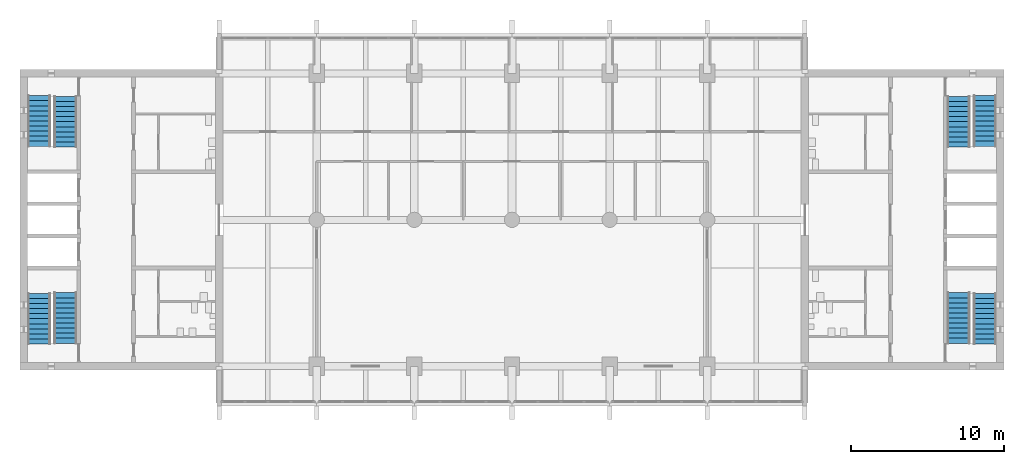
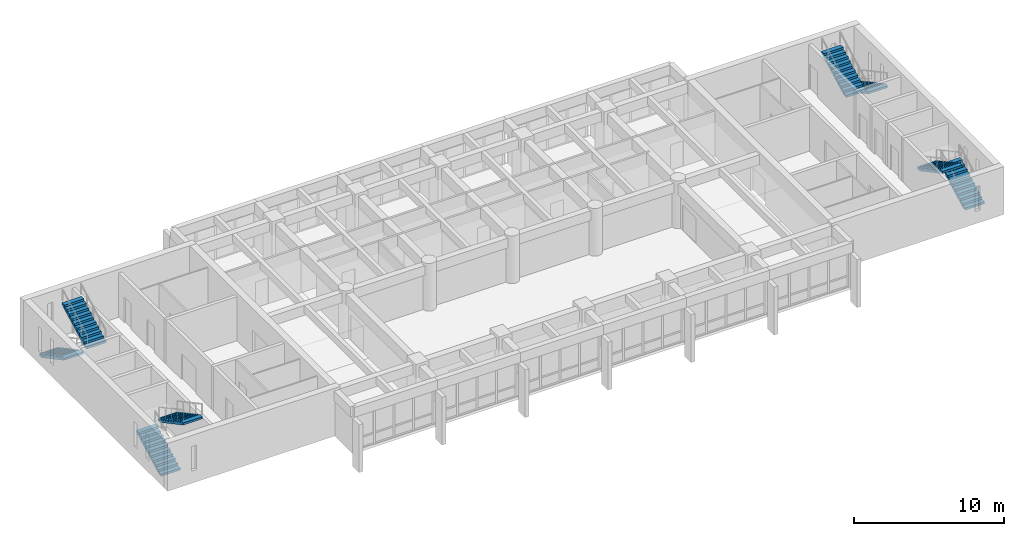
# One storey, part 13 of 15: 8 stair flights, 4 elements without a shape of their own.
"""IFC4 building model written with IfcOpenShell, lengths in metres."""

import ifcopenshell
import ifcopenshell.guid

model = None  # the IFC model being written
_history = None  # IfcOwnerHistory: only IFC2X3 demands one
_inside = {}  # id of a spatial element -> (the spatial element, [elements in it])
_under = {}  # id of a project, library or spatial element -> (it, [spatial elements below it])
_declared = {}  # id of a project -> (the project, [libraries it declares])
_typed = {}  # id of a type object -> (the type object, [elements of that type])
_made_of = {}  # id of a material, layer set ... -> (it, [elements and type objects made of it])


def new_model(schema):
    """Start an empty IFC model of exactly this schema.

    Asked for "IFC4X3", IfcOpenShell would pick the latest addendum, in which some entities
    have other attributes; the version numbers below select the first issue.
    IFC2X3 requires an IfcOwnerHistory on every rooted entity: one is made here for all.
    """
    global model, _history
    if schema == "IFC4X3":
        model = ifcopenshell.file(schema_version=(4, 3, 0, 0))
    else:
        model = ifcopenshell.file(schema=schema)
    _inside.clear()
    _under.clear()
    _declared.clear()
    _typed.clear()
    _made_of.clear()
    _history = None
    if model.schema == "IFC2X3":
        org = make("IfcOrganization", Name="unknown")
        user = make(
            "IfcPersonAndOrganization",
            ThePerson=make("IfcPerson", FamilyName="unknown"),
            TheOrganization=org,
        )
        app = make(
            "IfcApplication",
            ApplicationDeveloper=org,
            Version="unknown",
            ApplicationFullName="unknown",
            ApplicationIdentifier="unknown",
        )
        _history = make(
            "IfcOwnerHistory",
            OwningUser=user,
            OwningApplication=app,
            ChangeAction="ADDED",
            CreationDate=0,
        )
    return model


def make(cls, **values):
    """One entity of the class cls with the attributes given. An attribute that is None is left unset."""
    return model.create_entity(
        cls, **{name: value for name, value in values.items() if value is not None}
    )


def rooted(cls, **values):
    """An entity with a GlobalId (a new one), such as an element, a storey or a relation."""
    return make(cls, GlobalId=ifcopenshell.guid.new(), OwnerHistory=_history, **values)


def si_unit(unit_type, name, prefix=None):
    """IfcSIUnit, for example si_unit("LENGTHUNIT", "METRE", prefix="MILLI")."""
    return make("IfcSIUnit", UnitType=unit_type, Prefix=prefix, Name=name)


def assignment(units):
    """IfcUnitAssignment: the units of a project."""
    return None if units is None else make("IfcUnitAssignment", Units=units)


def point(xyz):
    """IfcCartesianPoint."""
    return None if xyz is None else make("IfcCartesianPoint", Coordinates=xyz)


def direction(xyz):
    """IfcDirection."""
    return None if xyz is None else make("IfcDirection", DirectionRatios=xyz)


def frame(location, z_axis=None, x_axis=None):
    """IfcAxis2Placement3D, a coordinate frame: its origin and axes. An axis left out is left unset."""
    return make(
        "IfcAxis2Placement3D",
        Location=point(location),
        Axis=direction(z_axis),
        RefDirection=direction(x_axis),
    )


def origin():
    """The frame at (0, 0, 0) with its axes left unset."""
    return frame((0.0, 0.0, 0.0))


def place(relative_to, where):
    """IfcLocalPlacement: puts the frame where relative to a parent placement (None: the world)."""
    return make(
        "IfcLocalPlacement", PlacementRelTo=relative_to, RelativePlacement=where
    )


def context(
    kind, dimensions, precision=None, world=None, true_north=None, identifier=None
):
    """IfcGeometricRepresentationContext, for example the 3D "Model" context."""
    return make(
        "IfcGeometricRepresentationContext",
        ContextIdentifier=identifier,
        ContextType=kind,
        CoordinateSpaceDimension=dimensions,
        Precision=precision,
        WorldCoordinateSystem=world,
        TrueNorth=true_north,
    )


def subcontext(parent, identifier, kind, view, scale=None):
    """IfcGeometricRepresentationSubContext, for example "Body" below "Model"."""
    return make(
        "IfcGeometricRepresentationSubContext",
        ContextIdentifier=identifier,
        ContextType=kind,
        ParentContext=parent,
        TargetScale=scale,
        TargetView=view,
    )


def project(units=None, contexts=None):
    """IfcProject with its units and contexts."""
    return rooted(
        "IfcProject",
        Name="project",
        RepresentationContexts=contexts,
        UnitsInContext=assignment(units),
    )


def spatial(cls, under=None, at=None, **own):
    """A site, building, storey or space (cls), placed at a placement, below another one or the project."""
    s = rooted(cls, ObjectPlacement=at, **own)
    if under is not None:
        _under.setdefault(under.id(), (under, []))[1].append(s)
    return s


def polyline(points):
    """IfcPolyline through the points."""
    return make("IfcPolyline", Points=[point(p) for p in points])


def outline(outer, holes=None, kind="AREA"):
    """IfcArbitraryClosedProfileDef: a profile drawn as a closed curve; with holes, ...WithVoids."""
    if holes is None:
        return make("IfcArbitraryClosedProfileDef", ProfileType=kind, OuterCurve=outer)
    return make(
        "IfcArbitraryProfileDefWithVoids",
        ProfileType=kind,
        OuterCurve=outer,
        InnerCurves=holes,
    )


def extrude(swept, where, along, depth):
    """IfcExtrudedAreaSolid: the profile swept, set in the frame where, extruded along a direction by depth."""
    return make(
        "IfcExtrudedAreaSolid",
        SweptArea=swept,
        Position=where,
        ExtrudedDirection=direction(along),
        Depth=depth,
    )


def shape(context_of_items, identifier, shape_type, items):
    """IfcShapeRepresentation: the items that make up one representation, for example the "Body"."""
    return make(
        "IfcShapeRepresentation",
        ContextOfItems=context_of_items,
        RepresentationIdentifier=identifier,
        RepresentationType=shape_type,
        Items=items,
    )


def material(Name=None, Category=None):
    """IfcMaterial."""
    return make("IfcMaterial", Name=Name, Category=Category)


def made_of(thing, what):
    """Note that an element or type object is made of a material, layer set ...; save() writes the relation."""
    if what is not None:
        _made_of.setdefault(what.id(), (what, []))[1].append(thing)
    return thing


def type_object(cls, material=None, **own):
    """A type object (cls), such as IfcWallType, which elements share."""
    return made_of(rooted(cls, **own), material)


def element(
    cls,
    number,
    at=None,
    inside=None,
    cuts=None,
    type_object=None,
    material=None,
    context=None,
    identifier="Body",
    shape_type=None,
    held_by="IfcProductDefinitionShape",
    body=None,
    shapes=None,
    **own,
):
    """One element of the class cls, such as IfcWall. Its Tag is "e" and its number.

    at: its placement. inside: the storey or other place that contains it. cuts: it is an
    opening in that element (IfcRelVoidsElement). A single representation is given by context,
    identifier, shape_type and body (its items); several are given by shapes. held_by: the class
    of the entity that holds the representations. save() writes the other relations.
    """
    e = rooted(cls, Tag="e%d" % number, ObjectPlacement=at, **own)
    if body is not None:
        shapes = [shape(context, identifier, shape_type, body)]
    if shapes is not None:
        e.Representation = make(held_by, Representations=shapes)
    if inside is not None:
        _inside.setdefault(inside.id(), (inside, []))[1].append(e)
    if cuts is not None:
        rooted(
            "IfcRelVoidsElement", RelatingBuildingElement=cuts, RelatedOpeningElement=e
        )
    if type_object is not None:
        _typed.setdefault(type_object.id(), (type_object, []))[1].append(e)
    return made_of(e, material)


def aggregate(whole, parts):
    """IfcRelAggregates: a whole, such as a stair, and the parts it consists of."""
    return rooted("IfcRelAggregates", RelatingObject=whole, RelatedObjects=parts)


def save(model, path):
    """Write the relations noted so far, then the file.

    IfcRelAggregates (storeys below a building ...), IfcRelContainedInSpatialStructure (elements
    in a storey), IfcRelDefinesByType, IfcRelAssociatesMaterial and IfcRelDeclares: one each for
    every whole, place, type object, material and project.
    """
    for whole, parts in _under.values():
        aggregate(whole, parts)
    for where, things in _inside.values():
        rooted(
            "IfcRelContainedInSpatialStructure",
            RelatedElements=things,
            RelatingStructure=where,
        )
    for kind, things in _typed.values():
        rooted("IfcRelDefinesByType", RelatedObjects=things, RelatingType=kind)
    for what, things in _made_of.values():
        rooted("IfcRelAssociatesMaterial", RelatedObjects=things, RelatingMaterial=what)
    for by, libraries in _declared.values():
        rooted("IfcRelDeclares", RelatingContext=by, RelatedDefinitions=libraries)
    model.write(path)


model = new_model("IFC4")

# Units and contexts
model_context = context("Model", 3, precision=1e-05, world=origin(), true_north=direction((0.0, 1.0)))
body_context = subcontext(model_context, "Body", "Model", "MODEL_VIEW")
ifc_project = project(units=[si_unit("LENGTHUNIT", "METRE"), si_unit("AREAUNIT", "SQUARE_METRE"), si_unit("VOLUMEUNIT", "CUBIC_METRE"), si_unit("PLANEANGLEUNIT", "RADIAN"), si_unit("MASSUNIT", "GRAM", prefix="KILO")], contexts=[model_context])

# Site, building, storey
site_placement = place(None, origin())
site = spatial("IfcSite", under=ifc_project, at=site_placement, CompositionType="ELEMENT")
building_placement = place(site_placement, origin())
building = spatial("IfcBuilding", under=site, at=building_placement, Name="Fogon Plaza Fire Station and Headquarters Tower", CompositionType="ELEMENT")
storey_placement = place(building_placement, frame((0.0, 0.0, 32.699951171875)))
storey = spatial("IfcBuildingStorey", under=building, at=storey_placement, Name="L08", CompositionType="ELEMENT", Elevation=32.699951171875)

# Stair, stair flights
ifc_material_1 = material(Name="Concrete C40", Category="concrete")
stair_type = type_object("IfcStairType", Name="Exit Stair Two Flights", PredefinedType="TWO_STRAIGHT_RUN_STAIR", material=ifc_material_1)
stair_1_placement = place(storey_placement, origin())
stair_1 = element("IfcStair", 1, at=stair_1_placement, inside=storey, type_object=stair_type, Name="Stair ST1", PredefinedType="TWO_STRAIGHT_RUN_STAIR")
ifc_material_2 = material(Name="Concrete C40", Category="concrete")
stair_flight_type = type_object("IfcStairFlightType", Name="Stair Flight 11 Risers", PredefinedType="STRAIGHT", material=ifc_material_2)
stair_flight_1_placement = place(storey_placement, frame((13.800048828125, 35.060791015625, 0.0), z_axis=(0.0, 0.0, 1.0), x_axis=(0.0, 1.0, 0.0)))
stair_flight_1 = element("IfcStairFlight", 2, at=stair_flight_1_placement, type_object=stair_flight_type, Name="ST1 flight F19", NumberOfRisers=11, NumberOfTreads=10, PredefinedType="STRAIGHT", RiserHeight=0.177272727, TreadLength=0.3315, context=body_context, shape_type="SweptSolid", body=[
    extrude(outline(polyline([(0.0, 0.0), (0.0, 0.17724609375), (0.33154296875, 0.17724609375), (0.33154296875, 0.3544921875), (0.6630859375, 0.3544921875), (0.6630859375, 0.53173828125), (0.994384765625, 0.53173828125), (0.994384765625, 0.708984375), (1.325927734375, 0.708984375), (1.325927734375, 0.886474609375), (1.657470703125, 0.886474609375), (1.657470703125, 1.063720703125), (1.989013671875, 1.063720703125), (1.989013671875, 1.240966796875), (2.320556640625, 1.240966796875), (2.320556640625, 1.418212890625), (2.652099609375, 1.418212890625), (2.652099609375, 1.595458984375), (2.9833984375, 1.595458984375), (2.9833984375, 1.772705078125), (3.31494140625, 1.772705078125), (3.31494140625, 1.949951171875), (3.31494140625, 1.602783203125), (0.31787109375, 0.0), (0.0, 0.0)])), frame((0.0, 0.75, 0.0), z_axis=(0.0, -1.0, 0.0), x_axis=(1.0, 0.0, 0.0)), (0.0, 0.0, 1.0), 1.5),
])
stair_flight_2_placement = place(storey_placement, frame((15.52490234375, 38.42431640625, 1.949951171875), z_axis=(0.0, 0.0, 1.0), x_axis=(0.0, -1.0, 0.0)))
stair_flight_2 = element("IfcStairFlight", 3, at=stair_flight_2_placement, type_object=stair_flight_type, Name="ST1 flight F20", NumberOfRisers=11, NumberOfTreads=10, PredefinedType="STRAIGHT", RiserHeight=0.177272727, TreadLength=0.3315, context=body_context, shape_type="SweptSolid", body=[
    extrude(outline(polyline([(0.0, 0.0), (0.0, 0.17724609375), (0.33154296875, 0.17724609375), (0.33154296875, 0.3544921875), (0.6630859375, 0.3544921875), (0.6630859375, 0.53173828125), (0.994384765625, 0.53173828125), (0.994384765625, 0.708984375), (1.325927734375, 0.708984375), (1.325927734375, 0.886474609375), (1.657470703125, 0.886474609375), (1.657470703125, 1.063720703125), (1.989013671875, 1.063720703125), (1.989013671875, 1.240966796875), (2.320556640625, 1.240966796875), (2.320556640625, 1.418212890625), (2.652099609375, 1.418212890625), (2.652099609375, 1.595458984375), (2.9833984375, 1.595458984375), (2.9833984375, 1.772705078125), (3.31494140625, 1.772705078125), (3.31494140625, 1.949951171875), (3.31494140625, 1.602783203125), (0.31787109375, 0.0), (0.0, 0.0)])), frame((0.0, 0.75, 0.0), z_axis=(0.0, -1.0, 0.0), x_axis=(1.0, 0.0, 0.0)), (0.0, 0.0, 1.0), 1.5),
])
aggregate(stair_1, [stair_flight_1, stair_flight_2])

stair_2_placement = place(storey_placement, origin())
stair_2 = element("IfcStair", 4, at=stair_2_placement, inside=storey, type_object=stair_type, Name="Stair ST2", PredefinedType="TWO_STRAIGHT_RUN_STAIR")
stair_flight_3_placement = place(storey_placement, frame((13.800048828125, 51.33935546875, 0.0), z_axis=(0.0, 0.0, 1.0), x_axis=(0.0, -1.0, 0.0)))
stair_flight_3 = element("IfcStairFlight", 5, at=stair_flight_3_placement, type_object=stair_flight_type, Name="ST2 flight F19", NumberOfRisers=11, NumberOfTreads=10, PredefinedType="STRAIGHT", RiserHeight=0.177272727, TreadLength=0.3315, context=body_context, shape_type="SweptSolid", body=[
    extrude(outline(polyline([(0.0, 0.0), (0.0, 0.17724609375), (0.33154296875, 0.17724609375), (0.33154296875, 0.3544921875), (0.6630859375, 0.3544921875), (0.6630859375, 0.53173828125), (0.994384765625, 0.53173828125), (0.994384765625, 0.708984375), (1.325927734375, 0.708984375), (1.325927734375, 0.886474609375), (1.657470703125, 0.886474609375), (1.657470703125, 1.063720703125), (1.989013671875, 1.063720703125), (1.989013671875, 1.240966796875), (2.320556640625, 1.240966796875), (2.320556640625, 1.418212890625), (2.652099609375, 1.418212890625), (2.652099609375, 1.595458984375), (2.9833984375, 1.595458984375), (2.9833984375, 1.772705078125), (3.31494140625, 1.772705078125), (3.31494140625, 1.949951171875), (3.31494140625, 1.602783203125), (0.31787109375, 0.0), (0.0, 0.0)])), frame((0.0, 0.75, 0.0), z_axis=(0.0, -1.0, 0.0), x_axis=(1.0, 0.0, 0.0)), (0.0, 0.0, 1.0), 1.5),
])
stair_flight_4_placement = place(storey_placement, frame((15.52490234375, 47.975830078125, 1.949951171875), z_axis=(0.0, 0.0, 1.0), x_axis=(0.0, 1.0, 0.0)))
stair_flight_4 = element("IfcStairFlight", 6, at=stair_flight_4_placement, type_object=stair_flight_type, Name="ST2 flight F20", NumberOfRisers=11, NumberOfTreads=10, PredefinedType="STRAIGHT", RiserHeight=0.177272727, TreadLength=0.3315, context=body_context, shape_type="SweptSolid", body=[
    extrude(outline(polyline([(0.0, 0.0), (0.0, 0.17724609375), (0.33154296875, 0.17724609375), (0.33154296875, 0.3544921875), (0.6630859375, 0.3544921875), (0.6630859375, 0.53173828125), (0.994384765625, 0.53173828125), (0.994384765625, 0.708984375), (1.325927734375, 0.708984375), (1.325927734375, 0.886474609375), (1.657470703125, 0.886474609375), (1.657470703125, 1.063720703125), (1.989013671875, 1.063720703125), (1.989013671875, 1.240966796875), (2.320556640625, 1.240966796875), (2.320556640625, 1.418212890625), (2.652099609375, 1.418212890625), (2.652099609375, 1.595458984375), (2.9833984375, 1.595458984375), (2.9833984375, 1.772705078125), (3.31494140625, 1.772705078125), (3.31494140625, 1.949951171875), (3.31494140625, 1.602783203125), (0.31787109375, 0.0), (0.0, 0.0)])), frame((0.0, 0.75, 0.0), z_axis=(0.0, -1.0, 0.0), x_axis=(1.0, 0.0, 0.0)), (0.0, 0.0, 1.0), 1.5),
])
aggregate(stair_2, [stair_flight_3, stair_flight_4])

stair_3_placement = place(storey_placement, origin())
stair_3 = element("IfcStair", 7, at=stair_3_placement, inside=storey, type_object=stair_type, Name="Stair ST3", PredefinedType="TWO_STRAIGHT_RUN_STAIR")
stair_flight_5_placement = place(storey_placement, frame((75.800048828125, 35.060791015625, 0.0), z_axis=(0.0, 0.0, 1.0), x_axis=(0.0, 1.0, 0.0)))
stair_flight_5 = element("IfcStairFlight", 8, at=stair_flight_5_placement, type_object=stair_flight_type, Name="ST3 flight F19", NumberOfRisers=11, NumberOfTreads=10, PredefinedType="STRAIGHT", RiserHeight=0.177272727, TreadLength=0.3315, context=body_context, shape_type="SweptSolid", body=[
    extrude(outline(polyline([(0.0, 0.0), (0.0, 0.17724609375), (0.33154296875, 0.17724609375), (0.33154296875, 0.3544921875), (0.6630859375, 0.3544921875), (0.6630859375, 0.53173828125), (0.994384765625, 0.53173828125), (0.994384765625, 0.708984375), (1.325927734375, 0.708984375), (1.325927734375, 0.886474609375), (1.657470703125, 0.886474609375), (1.657470703125, 1.063720703125), (1.989013671875, 1.063720703125), (1.989013671875, 1.240966796875), (2.320556640625, 1.240966796875), (2.320556640625, 1.418212890625), (2.652099609375, 1.418212890625), (2.652099609375, 1.595458984375), (2.9833984375, 1.595458984375), (2.9833984375, 1.772705078125), (3.31494140625, 1.772705078125), (3.31494140625, 1.949951171875), (3.31494140625, 1.602783203125), (0.31787109375, 0.0), (0.0, 0.0)])), frame((0.0, 0.75, 0.0), z_axis=(0.0, -1.0, 0.0), x_axis=(1.0, 0.0, 0.0)), (0.0, 0.0, 1.0), 1.5),
])
stair_flight_6_placement = place(storey_placement, frame((74.074951171875, 38.42431640625, 1.949951171875), z_axis=(0.0, 0.0, 1.0), x_axis=(0.0, -1.0, 0.0)))
stair_flight_6 = element("IfcStairFlight", 9, at=stair_flight_6_placement, type_object=stair_flight_type, Name="ST3 flight F20", NumberOfRisers=11, NumberOfTreads=10, PredefinedType="STRAIGHT", RiserHeight=0.177272727, TreadLength=0.3315, context=body_context, shape_type="SweptSolid", body=[
    extrude(outline(polyline([(0.0, 0.0), (0.0, 0.17724609375), (0.33154296875, 0.17724609375), (0.33154296875, 0.3544921875), (0.6630859375, 0.3544921875), (0.6630859375, 0.53173828125), (0.994384765625, 0.53173828125), (0.994384765625, 0.708984375), (1.325927734375, 0.708984375), (1.325927734375, 0.886474609375), (1.657470703125, 0.886474609375), (1.657470703125, 1.063720703125), (1.989013671875, 1.063720703125), (1.989013671875, 1.240966796875), (2.320556640625, 1.240966796875), (2.320556640625, 1.418212890625), (2.652099609375, 1.418212890625), (2.652099609375, 1.595458984375), (2.9833984375, 1.595458984375), (2.9833984375, 1.772705078125), (3.31494140625, 1.772705078125), (3.31494140625, 1.949951171875), (3.31494140625, 1.602783203125), (0.31787109375, 0.0), (0.0, 0.0)])), frame((0.0, 0.75, 0.0), z_axis=(0.0, -1.0, 0.0), x_axis=(1.0, 0.0, 0.0)), (0.0, 0.0, 1.0), 1.5),
])
aggregate(stair_3, [stair_flight_5, stair_flight_6])

stair_4_placement = place(storey_placement, origin())
stair_4 = element("IfcStair", 10, at=stair_4_placement, inside=storey, type_object=stair_type, Name="Stair ST4", PredefinedType="TWO_STRAIGHT_RUN_STAIR")
stair_flight_7_placement = place(storey_placement, frame((75.800048828125, 51.33935546875, 0.0), z_axis=(0.0, 0.0, 1.0), x_axis=(0.0, -1.0, 0.0)))
stair_flight_7 = element("IfcStairFlight", 11, at=stair_flight_7_placement, type_object=stair_flight_type, Name="ST4 flight F19", NumberOfRisers=11, NumberOfTreads=10, PredefinedType="STRAIGHT", RiserHeight=0.177272727, TreadLength=0.3315, context=body_context, shape_type="SweptSolid", body=[
    extrude(outline(polyline([(0.0, 0.0), (0.0, 0.17724609375), (0.33154296875, 0.17724609375), (0.33154296875, 0.3544921875), (0.6630859375, 0.3544921875), (0.6630859375, 0.53173828125), (0.994384765625, 0.53173828125), (0.994384765625, 0.708984375), (1.325927734375, 0.708984375), (1.325927734375, 0.886474609375), (1.657470703125, 0.886474609375), (1.657470703125, 1.063720703125), (1.989013671875, 1.063720703125), (1.989013671875, 1.240966796875), (2.320556640625, 1.240966796875), (2.320556640625, 1.418212890625), (2.652099609375, 1.418212890625), (2.652099609375, 1.595458984375), (2.9833984375, 1.595458984375), (2.9833984375, 1.772705078125), (3.31494140625, 1.772705078125), (3.31494140625, 1.949951171875), (3.31494140625, 1.602783203125), (0.31787109375, 0.0), (0.0, 0.0)])), frame((0.0, 0.75, 0.0), z_axis=(0.0, -1.0, 0.0), x_axis=(1.0, 0.0, 0.0)), (0.0, 0.0, 1.0), 1.5),
])
stair_flight_8_placement = place(storey_placement, frame((74.074951171875, 47.975830078125, 1.949951171875), z_axis=(0.0, 0.0, 1.0), x_axis=(0.0, 1.0, 0.0)))
stair_flight_8 = element("IfcStairFlight", 12, at=stair_flight_8_placement, type_object=stair_flight_type, Name="ST4 flight F20", NumberOfRisers=11, NumberOfTreads=10, PredefinedType="STRAIGHT", RiserHeight=0.177272727, TreadLength=0.3315, context=body_context, shape_type="SweptSolid", body=[
    extrude(outline(polyline([(0.0, 0.0), (0.0, 0.17724609375), (0.33154296875, 0.17724609375), (0.33154296875, 0.3544921875), (0.6630859375, 0.3544921875), (0.6630859375, 0.53173828125), (0.994384765625, 0.53173828125), (0.994384765625, 0.708984375), (1.325927734375, 0.708984375), (1.325927734375, 0.886474609375), (1.657470703125, 0.886474609375), (1.657470703125, 1.063720703125), (1.989013671875, 1.063720703125), (1.989013671875, 1.240966796875), (2.320556640625, 1.240966796875), (2.320556640625, 1.418212890625), (2.652099609375, 1.418212890625), (2.652099609375, 1.595458984375), (2.9833984375, 1.595458984375), (2.9833984375, 1.772705078125), (3.31494140625, 1.772705078125), (3.31494140625, 1.949951171875), (3.31494140625, 1.602783203125), (0.31787109375, 0.0), (0.0, 0.0)])), frame((0.0, 0.75, 0.0), z_axis=(0.0, -1.0, 0.0), x_axis=(1.0, 0.0, 0.0)), (0.0, 0.0, 1.0), 1.5),
])
aggregate(stair_4, [stair_flight_7, stair_flight_8])

save(model, "model.ifc")
